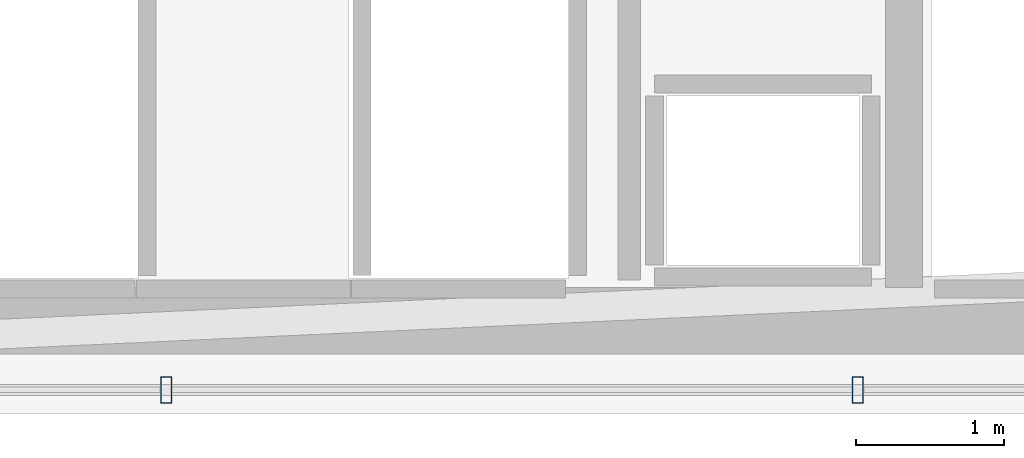
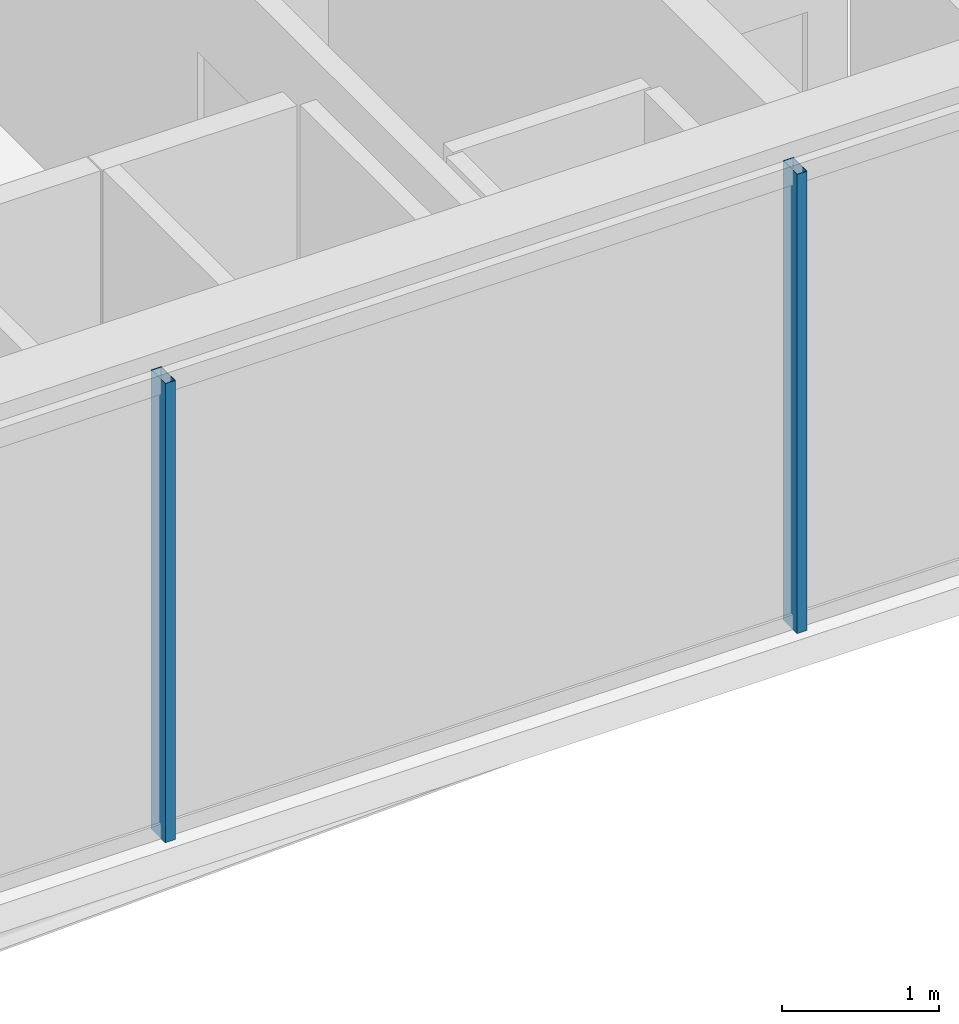
# One storey, part 9 of 33: 2 members, 1 element without a shape of its own.
"""IFC4 building model written with IfcOpenShell, lengths in metres."""

from ifc_helpers import new_model, si_unit, direction, frame, origin, origin_2d, place, context, subcontext, project, spatial, hollow_rectangle, extrude, material, layer, layer_set, material_profile, profile_set, type_object, element, aggregate, save


model = new_model("IFC4")

# Units and contexts
model_context = context("Model", 3, precision=1e-05, world=origin(), true_north=direction((0.0, 1.0)))
body_context = subcontext(model_context, "Body", "Model", "MODEL_VIEW")
ifc_project = project(units=[si_unit("LENGTHUNIT", "METRE"), si_unit("AREAUNIT", "SQUARE_METRE"), si_unit("VOLUMEUNIT", "CUBIC_METRE"), si_unit("PLANEANGLEUNIT", "RADIAN"), si_unit("MASSUNIT", "GRAM", prefix="KILO")], contexts=[model_context])

# Site, building, storey
site_placement = place(None, origin())
site = spatial("IfcSite", under=ifc_project, at=site_placement, CompositionType="ELEMENT")
building_placement = place(site_placement, origin())
building = spatial("IfcBuilding", under=site, at=building_placement, Name="Ndaravel Arena Tower", CompositionType="ELEMENT")
storey_placement = place(building_placement, frame((0.0, 0.0, 89.199951171875)))
storey = spatial("IfcBuildingStorey", under=building, at=storey_placement, Name="L20", CompositionType="ELEMENT", Elevation=89.199951171875)

# Curtain wall, members
ifc_material_1 = material(Name="Aluminium", Category="aluminium")
ifc_layer = layer(ifc_material_1, 0.179931640625)
ifc_layer_set = layer_set([ifc_layer], Name="Aluminium")
curtain_wall_type = type_object("IfcCurtainWallType", Name="CW-SYS-03", PredefinedType="NOTDEFINED", material=ifc_layer_set)
curtain_wall_placement = place(storey_placement, origin())
curtain_wall = element("IfcCurtainWall", 1, at=curtain_wall_placement, inside=storey, type_object=curtain_wall_type, Name="L20 Faceted Crystal Curtain Wall CW-L20-E01", PredefinedType="NOTDEFINED")
ifc_material_2 = material(Name="Aluminium", Category="aluminium")
ifc_material_profile = material_profile(ifc_material_2, hollow_rectangle(XDim=0.074951171875, YDim=0.179931640625, WallThickness=0.00390625, at=origin_2d()), Name="CW MULLION 75x180x4")
ifc_profile_set = profile_set([ifc_material_profile], Name="Aluminium")
member_type = type_object("IfcMemberType", Name="MEM-CW-MUL180", PredefinedType="MULLION", material=ifc_profile_set)
member_1_placement = place(storey_placement, frame((44.329833984375, 5.159912109375, 0.0), z_axis=(0.0, 0.0, 1.0), x_axis=(1.0, 0.0, 0.0)))
member_1 = element("IfcMember", 2, at=member_1_placement, type_object=member_type, Name="CW-L20-E01 Mullion 04", PredefinedType="MULLION", context=body_context, shape_type="SweptSolid", body=[
    extrude(hollow_rectangle(XDim=0.074951171875, YDim=0.179931640625, WallThickness=0.00390625, at=origin_2d()), origin(), (0.0, 0.0, 1.0), 3.580078125),
])
member_2_placement = place(storey_placement, frame((48.989501953125, 5.159912109375, 0.0), z_axis=(0.0, 0.0, 1.0), x_axis=(1.0, 0.0, 0.0)))
member_2 = element("IfcMember", 3, at=member_2_placement, type_object=member_type, Name="CW-L20-E01 Mullion 05", PredefinedType="MULLION", context=body_context, shape_type="SweptSolid", body=[
    extrude(hollow_rectangle(XDim=0.074951171875, YDim=0.179931640625, WallThickness=0.00390625, at=origin_2d()), origin(), (0.0, 0.0, 1.0), 3.580078125),
])
aggregate(curtain_wall, [member_1, member_2])

save(model, "model.ifc")
